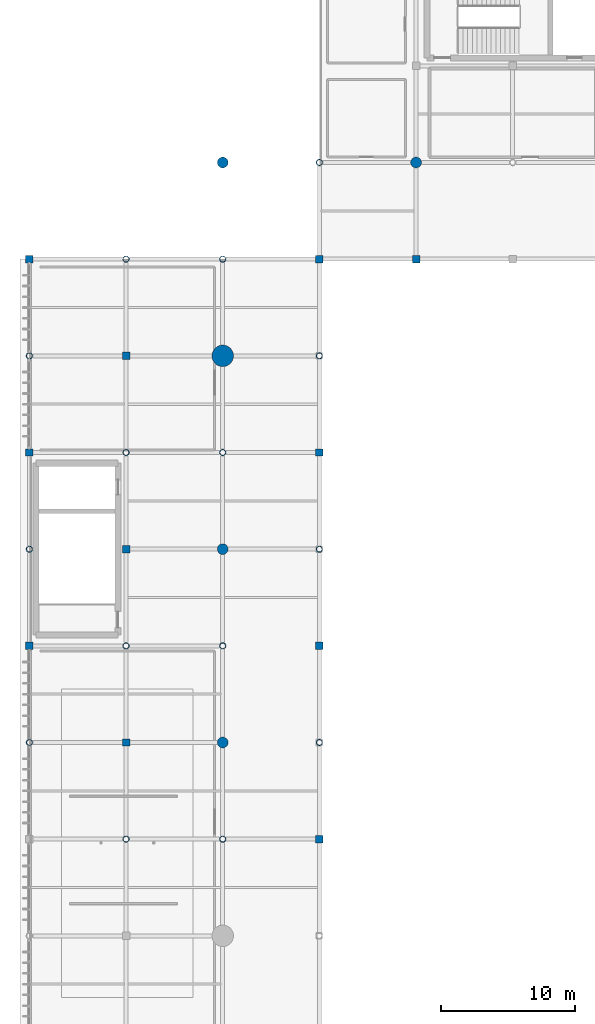
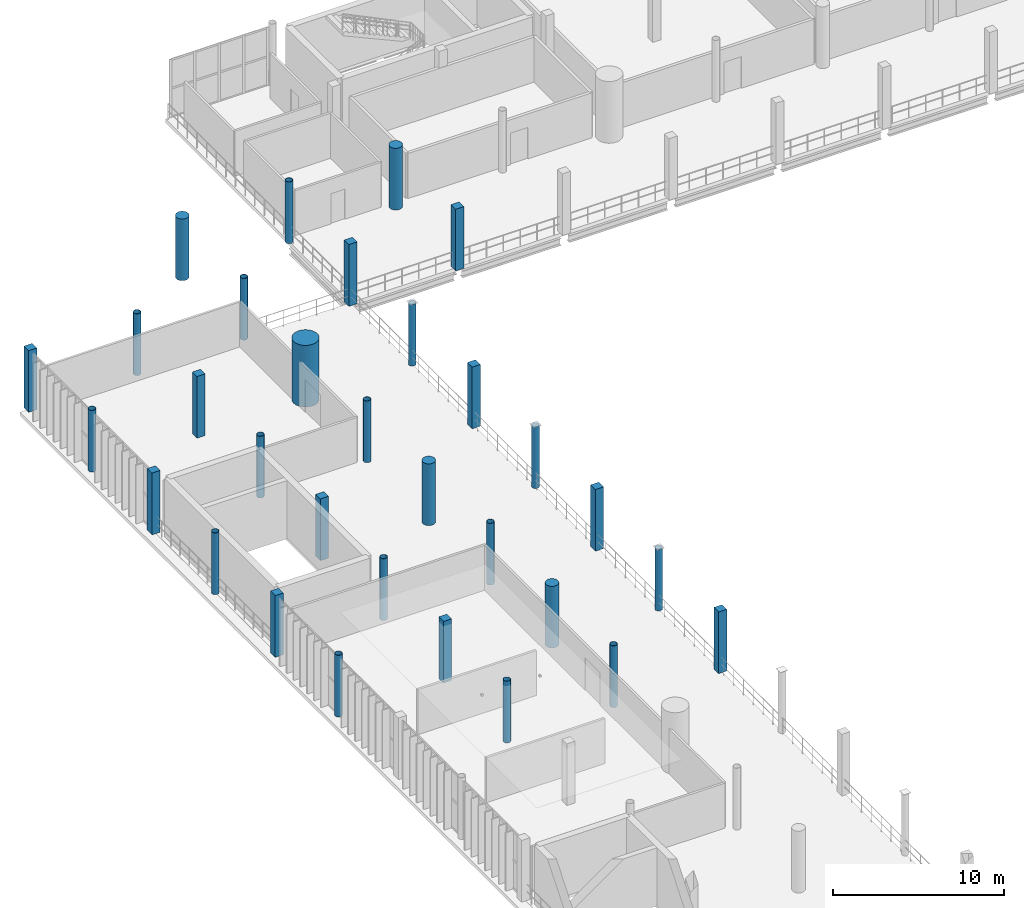
# One storey, part 6 of 81: 31 columns.
"""IFC4 building model written with IfcOpenShell, lengths in metres."""

from ifc_helpers import new_model, si_unit, direction, frame, origin, origin_2d, place, context, subcontext, project, spatial, rectangle, circle, hollow_circle, extrude, material, material_profile, profile_set, type_object, element, save


model = new_model("IFC4")

# Units and contexts
model_context = context("Model", 3, precision=1e-05, world=origin(), true_north=direction((0.0, 1.0)))
body_context = subcontext(model_context, "Body", "Model", "MODEL_VIEW")
ifc_project = project(units=[si_unit("LENGTHUNIT", "METRE"), si_unit("AREAUNIT", "SQUARE_METRE"), si_unit("VOLUMEUNIT", "CUBIC_METRE"), si_unit("PLANEANGLEUNIT", "RADIAN"), si_unit("MASSUNIT", "GRAM", prefix="KILO")], contexts=[model_context])

# Site, building, storey
site_placement = place(None, origin())
site = spatial("IfcSite", under=ifc_project, at=site_placement, CompositionType="ELEMENT")
building_placement = place(site_placement, origin())
building = spatial("IfcBuilding", under=site, at=building_placement, Name="Qandorah Velis Arena", CompositionType="ELEMENT")
storey_placement = place(building_placement, frame((0.0, 0.0, 18.60009765625)))
storey = spatial("IfcBuildingStorey", under=building, at=storey_placement, Name="L04", CompositionType="ELEMENT", Elevation=18.60009765625)

# Columns
ifc_material_1 = material(Name="Steel S355", Category="steel")
ifc_material_profile_1 = material_profile(ifc_material_1, hollow_circle(Radius=0.228515625, WallThickness=0.02001953125, at=origin_2d()), Name="CHS 457x20")
ifc_profile_set_1 = profile_set([ifc_material_profile_1], Name="Steel S355")
column_type_1 = type_object("IfcColumnType", Name="STR-COL-CHS457", PredefinedType="COLUMN", material=ifc_profile_set_1)
for number, where, z_axis, x_axis, name in (
    (1, (0.0, 72.0, 0.0), (0.0, 0.0, 1.0), (1.0, 0.0, 0.0), "Structural column L04-007"),
    (2, (0.0, 86.39990234375, 0.0), (0.0, 0.0, 1.0), (1.0, 0.0, 0.0), "Structural column L04-009"),
    (3, (0.0, 100.800048828125, 0.0), (0.0, 0.0, 1.0), (1.0, 0.0, 0.0), "Structural column L04-011"),
    (4, (7.199951171875, 64.800048828125, 0.0), (0.0, 0.0, 1.0), (1.0, 0.0, 0.0), "Structural column L04-019"),
    (5, (7.199951171875, 79.199951171875, 0.0), (0.0, 0.0, 1.0), (1.0, 0.0, 0.0), "Structural column L04-021"),
    (6, (7.199951171875, 93.60009765625, 0.0), (0.0, 0.0, 1.0), (1.0, 0.0, 0.0), "Structural column L04-023"),
    (7, (7.199951171875, 108.0, 0.0), (0.0, 0.0, 1.0), (1.0, 0.0, 0.0), "Structural column L04-025"),
    (8, (14.39990234375, 64.800048828125, 0.0), (0.0, 0.0, 1.0), (1.0, 0.0, 0.0), "Structural column L04-033"),
    (9, (14.39990234375, 79.199951171875, 0.0), (0.0, 0.0, 1.0), (1.0, 0.0, 0.0), "Structural column L04-035"),
    (10, (14.39990234375, 93.60009765625, 0.0), (0.0, 0.0, 1.0), (1.0, 0.0, 0.0), "Structural column L04-037"),
    (11, (14.39990234375, 108.0, 0.0), (0.0, 0.0, 1.0), (1.0, 0.0, 0.0), "Structural column L04-039"),
    (12, (21.60009765625, 72.0, 0.0), (0.0, 0.0, 1.0), (1.0, 0.0, 0.0), "Structural column L04-049"),
    (13, (21.60009765625, 86.39990234375, 0.0), (0.0, 0.0, 1.0), (1.0, 0.0, 0.0), "Structural column L04-051"),
    (14, (21.60009765625, 100.800048828125, 0.0), (0.0, 0.0, 1.0), (1.0, 0.0, 0.0), "Structural column L04-053"),
    (15, (21.60009765625, 115.199951171875, 0.0), (0.0, 0.0, 1.0), (1.0, 0.0, 0.0), "Structural column L04-055"),
):
    element("IfcColumn", number, at=place(storey_placement, frame(where, z_axis=z_axis, x_axis=x_axis)), inside=storey, type_object=column_type_1, Name=name, PredefinedType="COLUMN", context=body_context, shape_type="SweptSolid", body=[
        extrude(hollow_circle(Radius=0.228515625, WallThickness=0.02001953125, at=origin_2d()), origin(), (0.0, 0.0, 1.0), 4.39990234375),
    ])
ifc_material_2 = material(Name="Concrete C50/60", Category="concrete")
ifc_material_profile_2 = material_profile(ifc_material_2, circle(Radius=0.800048828125, at=origin_2d()), Name="MC D1600")
ifc_profile_set_2 = profile_set([ifc_material_profile_2], Name="Concrete C50/60")
column_type_2 = type_object("IfcColumnType", Name="STR-COL-MC1600", PredefinedType="COLUMN", material=ifc_profile_set_2)
column_placement = place(storey_placement, frame((14.39990234375, 100.800048828125, 0.0), z_axis=(0.0, 0.0, 1.0), x_axis=(1.0, 0.0, 0.0)))
element("IfcColumn", 16, at=column_placement, inside=storey, type_object=column_type_2, Name="Mega column MC3 (L04)", PredefinedType="COLUMN", context=body_context, shape_type="SweptSolid", body=[
    extrude(circle(Radius=0.800048828125, at=origin_2d()), origin(), (0.0, 0.0, 1.0), 4.39990234375),
])
ifc_material_3 = material(Name="Concrete C40/50", Category="concrete")
ifc_material_profile_3 = material_profile(ifc_material_3, rectangle(XDim=0.550048828125, YDim=0.550048828125, at=origin_2d()), Name="RC COL 550x550")
ifc_profile_set_3 = profile_set([ifc_material_profile_3], Name="Concrete C40/50")
column_type_3 = type_object("IfcColumnType", Name="STR-COL-RC550", PredefinedType="COLUMN", material=ifc_profile_set_3)
for number, where, z_axis, x_axis, name in (
    (17, (0.0, 79.199951171875, 0.0), (0.0, 0.0, 1.0), (1.0, 0.0, 0.0), "Structural column L04-008"),
    (18, (0.0, 93.60009765625, 0.0), (0.0, 0.0, 1.0), (1.0, 0.0, 0.0), "Structural column L04-010"),
    (19, (0.0, 108.0, 0.0), (0.0, 0.0, 1.0), (1.0, 0.0, 0.0), "Structural column L04-012"),
    (20, (7.199951171875, 72.0, 0.0), (0.0, 0.0, 1.0), (1.0, 0.0, 0.0), "Structural column L04-020"),
    (21, (7.199951171875, 86.39990234375, 0.0), (0.0, 0.0, 1.0), (1.0, 0.0, 0.0), "Structural column L04-022"),
    (22, (7.199951171875, 100.800048828125, 0.0), (0.0, 0.0, 1.0), (1.0, 0.0, 0.0), "Structural column L04-024"),
    (23, (21.60009765625, 64.800048828125, 0.0), (0.0, 0.0, 1.0), (1.0, 0.0, 0.0), "Structural column L04-048"),
    (24, (21.60009765625, 79.199951171875, 0.0), (0.0, 0.0, 1.0), (1.0, 0.0, 0.0), "Structural column L04-050"),
    (25, (21.60009765625, 93.60009765625, 0.0), (0.0, 0.0, 1.0), (1.0, 0.0, 0.0), "Structural column L04-052"),
    (26, (21.60009765625, 108.0, 0.0), (0.0, 0.0, 1.0), (1.0, 0.0, 0.0), "Structural column L04-054"),
    (27, (28.800048828125, 108.0, 0.0), (0.0, 0.0, 1.0), (1.0, 0.0, 0.0), "Structural column L04-060"),
):
    element("IfcColumn", number, at=place(storey_placement, frame(where, z_axis=z_axis, x_axis=x_axis)), inside=storey, type_object=column_type_3, Name=name, PredefinedType="COLUMN", context=body_context, shape_type="SweptSolid", body=[
        extrude(rectangle(XDim=0.550048828125, YDim=0.550048828125, at=origin_2d()), origin(), (0.0, 0.0, 1.0), 4.39990234375),
    ])
ifc_material_profile_4 = material_profile(ifc_material_3, circle(Radius=0.39990234375, at=origin_2d()), Name="RC D800")
ifc_profile_set_4 = profile_set([ifc_material_profile_4], Name="Concrete C40/50")
column_type_4 = type_object("IfcColumnType", Name="STR-COL-RCD800", PredefinedType="COLUMN", material=ifc_profile_set_4)
for number, where, z_axis, x_axis, name in (
    (28, (14.39990234375, 72.0, 0.0), (0.0, 0.0, 1.0), (1.0, 0.0, 0.0), "Bowl drum ring column L04-034"),
    (29, (14.39990234375, 86.39990234375, 0.0), (0.0, 0.0, 1.0), (1.0, 0.0, 0.0), "Bowl drum ring column L04-036"),
    (30, (14.39990234375, 115.199951171875, 0.0), (0.0, 0.0, 1.0), (1.0, 0.0, 0.0), "Bowl drum ring column L04-040"),
    (31, (28.800048828125, 115.199951171875, 0.0), (0.0, 0.0, 1.0), (1.0, 0.0, 0.0), "Bowl drum ring column L04-061"),
):
    element("IfcColumn", number, at=place(storey_placement, frame(where, z_axis=z_axis, x_axis=x_axis)), inside=storey, type_object=column_type_4, Name=name, PredefinedType="COLUMN", context=body_context, shape_type="SweptSolid", body=[
        extrude(circle(Radius=0.39990234375, at=origin_2d()), origin(), (0.0, 0.0, 1.0), 4.39990234375),
    ])

save(model, "model.ifc")
